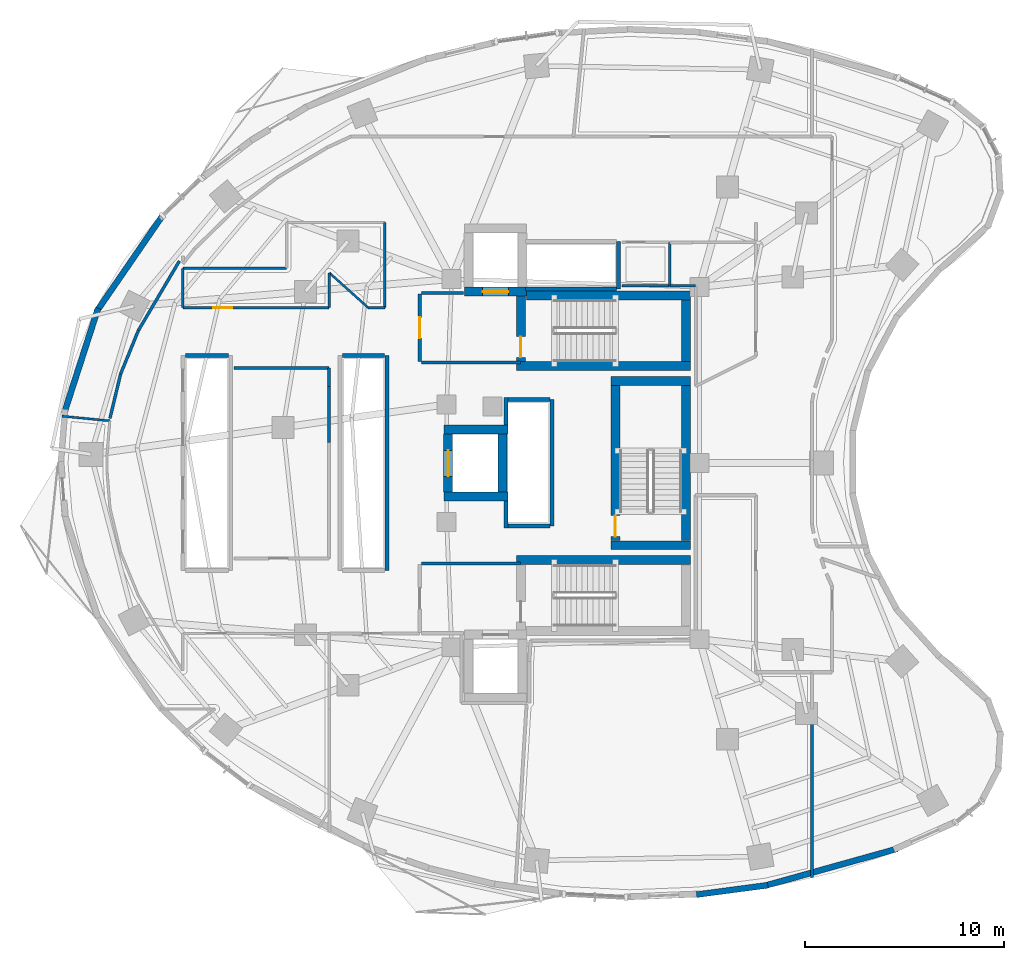
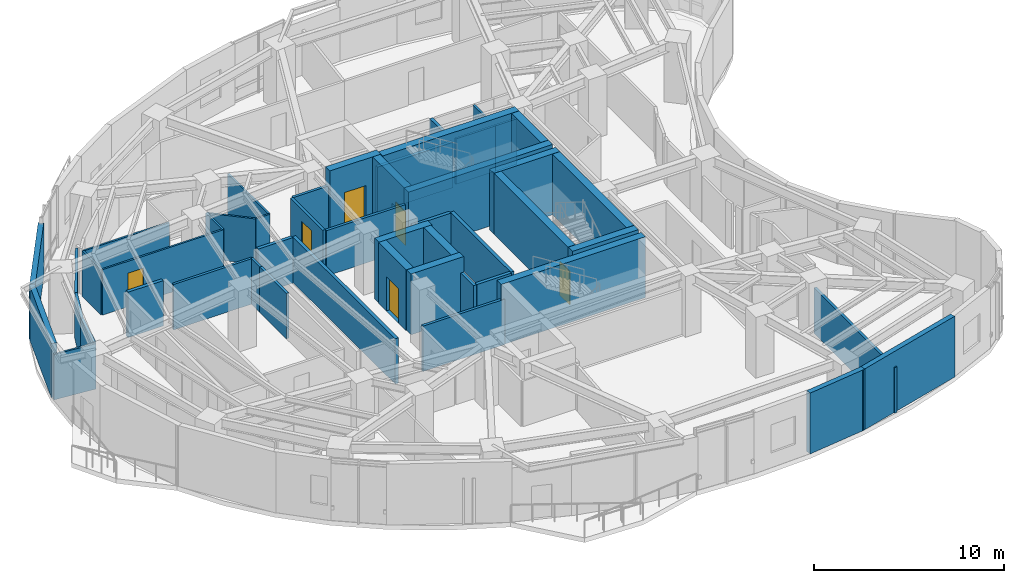
# One storey, part 8 of 13: 50 walls, 6 doors, 6 openings.
"""IFC4 building model written with IfcOpenShell, lengths in metres."""

from ifc_helpers import new_model, si_unit, direction, frame, frame_2d, origin, place, context, subcontext, project, spatial, rectangle, extrude, material, layer, layer_set, type_object, element, fill, save


model = new_model("IFC4")

# Units and contexts
model_context = context("Model", 3, precision=1e-05, world=origin(), true_north=direction((0.0, 1.0)))
body_context = subcontext(model_context, "Body", "Model", "MODEL_VIEW")
ifc_project = project(units=[si_unit("LENGTHUNIT", "METRE"), si_unit("AREAUNIT", "SQUARE_METRE"), si_unit("VOLUMEUNIT", "CUBIC_METRE"), si_unit("PLANEANGLEUNIT", "RADIAN"), si_unit("MASSUNIT", "GRAM", prefix="KILO")], contexts=[model_context])

# Site, building, storey
site_placement = place(None, origin())
site = spatial("IfcSite", under=ifc_project, at=site_placement, CompositionType="ELEMENT")
building_placement = place(site_placement, origin())
building = spatial("IfcBuilding", under=site, at=building_placement, Name="Korentha Bioscience Tower", CompositionType="ELEMENT")
storey_placement = place(building_placement, frame((0.0, 0.0, 140.39990234375)))
storey = spatial("IfcBuildingStorey", under=building, at=storey_placement, Name="L32", CompositionType="ELEMENT", Elevation=140.39990234375)

# Walls
ifc_material_1 = material(Name="Double-Stud Acoustic Gypsum", Category="gypsum")
ifc_layer_1 = layer(ifc_material_1, 0.14990234375, Name="Double-Stud Acoustic Gypsum")
ifc_layer_set_1 = layer_set([ifc_layer_1], Name="Double-Stud Acoustic Gypsum (IW-L150)")
wall_type_1 = type_object("IfcWallType", Name="Acoustic Laboratory Partition Wall 150", PredefinedType="PARTITIONING", material=ifc_layer_set_1)
wall_1_placement = place(storey_placement, frame((14.159912109375, 31.7900390625, 0.0), z_axis=(0.0, 0.0, 1.0), x_axis=(1.0, 0.0, 0.0)))
element("IfcWall", 1, at=wall_1_placement, inside=storey, type_object=wall_type_1, Name="L32 Interior Partition 014", PredefinedType="PARTITIONING", context=body_context, shape_type="SweptSolid", body=[
    extrude(rectangle(XDim=4.7880859375, YDim=0.14990234375, at=frame_2d((2.39404296875, 0.0))), origin(), (0.0, 0.0, 1.0), 2.91015625),
])
wall_2_placement = place(storey_placement, frame((18.947998046875, 31.7900390625, 0.0), z_axis=(0.0, 0.0, 1.0), x_axis=(0.0, -1.0, 0.0)))
element("IfcWall", 2, at=wall_2_placement, inside=storey, type_object=wall_type_1, Name="L32 Interior Partition 015", PredefinedType="PARTITIONING", context=body_context, shape_type="SweptSolid", body=[
    extrude(rectangle(XDim=0.93798828125, YDim=0.14990234375, at=frame_2d((0.468994140625, 0.0))), origin(), (0.0, 0.0, 1.0), 2.91015625),
])
wall_3_placement = place(storey_placement, frame((18.947998046875, 30.847900390625, 0.0), z_axis=(0.0, 0.0, 1.0), x_axis=(0.0, -1.0, 0.0)))
element("IfcWall", 3, at=wall_3_placement, inside=storey, type_object=wall_type_1, Name="L32 Interior Partition 016", PredefinedType="PARTITIONING", context=body_context, shape_type="SweptSolid", body=[
    extrude(rectangle(XDim=2.800537109375, YDim=0.14990234375, at=frame_2d((1.400390625, 0.0))), origin(), (0.0, 0.0, 1.0), 2.91015625),
])
wall_4_placement = place(storey_placement, frame((11.418701171875, 37.154296875, 0.0), z_axis=(0.0, 0.0, 1.0), x_axis=(-0.508183269016, -0.861248956511, 0.0)))
element("IfcWall", 4, at=wall_4_placement, inside=storey, type_object=wall_type_1, Name="L32 Interior Partition 071", PredefinedType="PARTITIONING", context=body_context, shape_type="SweptSolid", body=[
    extrude(rectangle(XDim=4.052734375, YDim=0.14990234375, at=frame_2d((2.0263671875, 0.0))), origin(), (0.0, 0.0, 1.0), 2.91015625),
])
wall_5_placement = place(storey_placement, frame((9.3583984375, 33.66259765625, 0.0), z_axis=(0.0, 0.0, 1.0), x_axis=(-0.378306283753, -0.925680482495, 0.0)))
element("IfcWall", 5, at=wall_5_placement, inside=storey, type_object=wall_type_1, Name="L32 Interior Partition 072", PredefinedType="PARTITIONING", context=body_context, shape_type="SweptSolid", body=[
    extrude(rectangle(XDim=2.358154296875, YDim=0.14990234375, at=frame_2d((1.17919921875, 0.0))), origin(), (0.0, 0.0, 1.0), 2.91015625),
])
wall_6_placement = place(storey_placement, frame((8.4658203125, 31.478515625, 0.0), z_axis=(0.0, 0.0, 1.0), x_axis=(-0.233675196412, -0.972314713754, 0.0)))
element("IfcWall", 6, at=wall_6_placement, inside=storey, type_object=wall_type_1, Name="L32 Interior Partition 073", PredefinedType="PARTITIONING", context=body_context, shape_type="SweptSolid", body=[
    extrude(rectangle(XDim=2.291259765625, YDim=0.14990234375, at=frame_2d((1.1455078125, 0.0))), origin(), (0.0, 0.0, 1.0), 2.91015625),
])
ifc_material_2 = material(Name="Insulated Aluminium Honeycomb Panel", Category="aluminium")
ifc_layer_2 = layer(ifc_material_2, 0.139892578125, Name="Insulated Aluminium Honeycomb Panel")
ifc_layer_set_2 = layer_set([ifc_layer_2], Name="Insulated Aluminium Honeycomb Panel (IW-F60)")
wall_type_2 = type_object("IfcWallType", Name="Cleanroom Flush Metal Panel Partition 140", PredefinedType="PARTITIONING", material=ifc_layer_set_2)
wall_7_placement = place(storey_placement, frame((37.35009765625, 35.909912109375, 0.0), z_axis=(0.0, 0.0, 1.0), x_axis=(-1.0, 0.0, 0.0)))
element("IfcWall", 7, at=wall_7_placement, inside=storey, type_object=wall_type_2, Name="L32 Interior Partition 059", PredefinedType="PARTITIONING", context=body_context, shape_type="SweptSolid", body=[
    extrude(rectangle(XDim=1.2900390625, YDim=0.139892578125, at=frame_2d((0.64501953125, 0.0))), origin(), (0.0, 0.0, 1.0), 2.91015625),
])

# Wall, opening, door
ifc_material_3 = material(Name="Fire-Rated Framed Glass", Category="glass")
ifc_layer_3 = layer(ifc_material_3, 0.110107421875, Name="Fire-Rated Framed Glass")
ifc_layer_set_3 = layer_set([ifc_layer_3], Name="Fire-Rated Framed Glass (IW-G110)")
wall_type_3 = type_object("IfcWallType", Name="Demountable Glazed Office Partition 110", PredefinedType="MOVABLE", material=ifc_layer_set_3)
wall_8_placement = place(storey_placement, frame((18.947998046875, 34.81005859375, 0.0), z_axis=(0.0, 0.0, 1.0), x_axis=(-1.0, 0.0, 0.0)))
wall_8 = element("IfcWall", 8, at=wall_8_placement, inside=storey, type_object=wall_type_3, Name="L32 Clinical Trials Data Office 10 Entrance Wall", PredefinedType="MOVABLE", context=body_context, shape_type="SweptSolid", body=[
    extrude(rectangle(XDim=7.35791015625, YDim=0.110107421875, at=frame_2d((3.678955078125, 0.0))), origin(), (0.0, 0.0, 1.0), 2.91015625),
])
opening_1_placement = place(wall_8_placement, frame((4.869384765625, 0.0, 0.0)))
opening_1 = element("IfcOpeningElement", 9, at=opening_1_placement, cuts=wall_8, Name="Opening ID-10L", PredefinedType="OPENING", context=body_context, shape_type="SweptSolid", body=[
    extrude(rectangle(XDim=0.949951171875, YDim=2.14990234375, at=frame_2d((0.47509765625, 1.074951171875))), frame((0.0, 0.06982421875, 0.0), z_axis=(0.0, -1.0, 0.0), x_axis=(1.0, 0.0, 0.0)), (0.0, 0.0, 1.0), 0.139892578125),
])
ifc_material_4 = material(Name="Phenolic Laminate Timber Core", Category="wood")
door_type_1 = type_object("IfcDoorType", Name="Laboratory Single Leaf Door 950x2150 Left", OperationType="SINGLE_SWING_LEFT", PredefinedType="DOOR", material=ifc_material_4)
door_1_placement = place(opening_1_placement, origin())
door_1 = element("IfcDoor", 10, at=door_1_placement, inside=storey, type_object=door_type_1, Name="L32 Clinical Trials Data Office 10 Door", OperationType="SINGLE_SWING_LEFT", OverallHeight=2.14990234375, OverallWidth=0.949951171875, PredefinedType="DOOR", context=body_context, shape_type="SweptSolid", body=[
    extrude(rectangle(XDim=0.949951171875, YDim=2.14990234375, at=frame_2d((0.47509765625, 1.074951171875))), frame((0.0, 0.02490234375, 0.0), z_axis=(0.0, -1.0, 0.0), x_axis=(1.0, 0.0, 0.0)), (0.0, 0.0, 1.0), 0.050048828125),
])
fill(opening_1, door_1)

# Walls
wall_9_placement = place(storey_placement, frame((5.521484375, 29.359619140625, 0.0), z_axis=(0.0, 0.0, 1.0), x_axis=(0.99523083929, -0.097547816614, 0.0)))
element("IfcWall", 11, at=wall_9_placement, inside=storey, type_object=wall_type_3, Name="L32 Interior Partition 018", PredefinedType="MOVABLE", context=body_context, shape_type="SweptSolid", body=[
    extrude(rectangle(XDim=2.41015625, YDim=0.110107421875, at=frame_2d((1.205078125, 0.0))), origin(), (0.0, 0.0, 1.0), 2.91015625),
])
wall_10_placement = place(storey_placement, frame((18.947998046875, 36.55810546875, 0.0), z_axis=(0.0, 0.0, 1.0), x_axis=(0.0, -1.0, 0.0)))
element("IfcWall", 12, at=wall_10_placement, inside=storey, type_object=wall_type_3, Name="L32 Interior Partition 074", PredefinedType="MOVABLE", context=body_context, shape_type="SweptSolid", body=[
    extrude(rectangle(XDim=1.748046875, YDim=0.110107421875, at=frame_2d((0.8740234375, 0.0))), origin(), (0.0, 0.0, 1.0), 2.91015625),
])
wall_11_placement = place(storey_placement, frame((11.590087890625, 34.81005859375, 0.0), z_axis=(0.0, 0.0, 1.0), x_axis=(0.0, 1.0, 0.0)))
element("IfcWall", 13, at=wall_11_placement, inside=storey, type_object=wall_type_3, Name="L32 Interior Partition 075", PredefinedType="MOVABLE", context=body_context, shape_type="SweptSolid", body=[
    extrude(rectangle(XDim=1.97998046875, YDim=0.110107421875, at=frame_2d((0.989990234375, 0.0))), origin(), (0.0, 0.0, 1.0), 2.91015625),
])
wall_12_placement = place(storey_placement, frame((11.590087890625, 36.7900390625, 0.0), z_axis=(0.0, 0.0, 1.0), x_axis=(1.0, 0.0, 0.0)))
element("IfcWall", 14, at=wall_12_placement, inside=storey, type_object=wall_type_3, Name="L32 Interior Partition 076", PredefinedType="MOVABLE", context=body_context, shape_type="SweptSolid", body=[
    extrude(rectangle(XDim=5.2099609375, YDim=0.110107421875, at=frame_2d((2.60498046875, 0.0))), origin(), (0.0, 0.0, 1.0), 2.91015625),
])
wall_13_placement = place(storey_placement, frame((21.739990234375, 39.090087890625, 0.0), z_axis=(0.0, 0.0, 1.0), x_axis=(0.0, -1.0, 0.0)))
element("IfcWall", 15, at=wall_13_placement, inside=storey, type_object=wall_type_3, Name="L32 Interior Partition 079", PredefinedType="MOVABLE", context=body_context, shape_type="SweptSolid", body=[
    extrude(rectangle(XDim=4.280029296875, YDim=0.110107421875, at=frame_2d((2.14013671875, 0.0))), origin(), (0.0, 0.0, 1.0), 2.91015625),
])
wall_14_placement = place(storey_placement, frame((21.739990234375, 34.81005859375, 0.0), z_axis=(0.0, 0.0, 1.0), x_axis=(-1.0, 0.0, 0.0)))
element("IfcWall", 16, at=wall_14_placement, inside=storey, type_object=wall_type_3, Name="L32 Interior Partition 080", PredefinedType="MOVABLE", context=body_context, shape_type="SweptSolid", body=[
    extrude(rectangle(XDim=0.833740234375, YDim=0.110107421875, at=frame_2d((0.4169921875, 0.0))), origin(), (0.0, 0.0, 1.0), 2.91015625),
])
wall_15_placement = place(storey_placement, frame((20.90625, 34.81005859375, 0.0), z_axis=(0.0, 0.0, 1.0), x_axis=(-0.744339592711, 0.667801295838, 0.0)))
element("IfcWall", 17, at=wall_15_placement, inside=storey, type_object=wall_type_3, Name="L32 Interior Partition 081", PredefinedType="MOVABLE", context=body_context, shape_type="SweptSolid", body=[
    extrude(rectangle(XDim=2.6220703125, YDim=0.110107421875, at=frame_2d((1.31103515625, 0.0))), origin(), (0.0, 0.0, 1.0), 2.91015625),
])

# Wall, opening, door
ifc_material_5 = material(Name="Gypsum-Clad Steel Stud", Category="steel")
ifc_layer_4 = layer(ifc_material_5, 0.159912109375, Name="Gypsum-Clad Steel Stud")
ifc_layer_set_4 = layer_set([ifc_layer_4], Name="Gypsum-Clad Steel Stud (IW-C160)")
wall_type_4 = type_object("IfcWallType", Name="Fire-Rated Corridor Partition Wall 160", PredefinedType="PARTITIONING", material=ifc_layer_set_4)
wall_16_placement = place(storey_placement, frame((23.5, 32.10009765625, 0.0), z_axis=(0.0, 0.0, 1.0), x_axis=(0.0, 1.0, 0.0)))
wall_16 = element("IfcWall", 18, at=wall_16_placement, inside=storey, type_object=wall_type_4, Name="L32 FFLN-CW Rated Enclosure Wall", PredefinedType="PARTITIONING", context=body_context, shape_type="SweptSolid", body=[
    extrude(rectangle(XDim=3.39990234375, YDim=0.159912109375, at=frame_2d((1.699951171875, 0.0))), origin(), (0.0, 0.0, 1.0), 2.91015625),
])
opening_2_placement = place(wall_16_placement, frame((1.175048828125, 0.0, 0.0)))
opening_2 = element("IfcOpeningElement", 19, at=opening_2_placement, cuts=wall_16, Name="Opening FD-90L", PredefinedType="OPENING", context=body_context, shape_type="SweptSolid", body=[
    extrude(rectangle(XDim=1.050048828125, YDim=2.14990234375, at=frame_2d((0.52490234375, 1.074951171875))), frame((0.0, 0.0947265625, 0.0), z_axis=(0.0, -1.0, 0.0), x_axis=(1.0, 0.0, 0.0)), (0.0, 0.0, 1.0), 0.189697265625),
])
ifc_material_6 = material(Name="Powder-Coated Fire-Rated Steel", Category="steel")
door_type_2 = type_object("IfcDoorType", Name="Stairwell Fire Exit Door 1050x2150 Left", OperationType="SINGLE_SWING_LEFT", PredefinedType="DOOR", material=ifc_material_6)
door_2_placement = place(opening_2_placement, origin())
door_2 = element("IfcDoor", 20, at=door_2_placement, inside=storey, type_object=door_type_2, Name="L32 North Firefighting Lobby Door", OperationType="SINGLE_SWING_LEFT", OverallHeight=2.14990234375, OverallWidth=1.050048828125, PredefinedType="DOOR", context=body_context, shape_type="SweptSolid", body=[
    extrude(rectangle(XDim=1.050048828125, YDim=2.14990234375, at=frame_2d((0.52490234375, 1.074951171875))), frame((0.0, 0.02490234375, 0.0), z_axis=(0.0, -1.0, 0.0), x_axis=(1.0, 0.0, 0.0)), (0.0, 0.0, 1.0), 0.050048828125),
])
fill(opening_2, door_2)

# Walls
wall_17_placement = place(storey_placement, frame((23.580078125, 32.050048828125, 0.0), z_axis=(0.0, 0.0, 1.0), x_axis=(1.0, 0.0, 0.0)))
element("IfcWall", 21, at=wall_17_placement, inside=storey, type_object=wall_type_4, Name="L32 Firefighting Lobby Return Wall FFLN-S", PredefinedType="PARTITIONING", context=body_context, shape_type="SweptSolid", body=[
    extrude(rectangle(XDim=4.969970703125, YDim=0.159912109375, at=frame_2d((2.48486328125, 0.0))), origin(), (0.0, 0.0, 1.0), 2.91015625),
])
wall_18_placement = place(storey_placement, frame((23.580078125, 35.550048828125, 0.0), z_axis=(0.0, 0.0, 1.0), x_axis=(1.0, 0.0, 0.0)))
element("IfcWall", 22, at=wall_18_placement, inside=storey, type_object=wall_type_4, Name="L32 Firefighting Lobby Return Wall FFLN-N", PredefinedType="PARTITIONING", context=body_context, shape_type="SweptSolid", body=[
    extrude(rectangle(XDim=2.119873046875, YDim=0.159912109375, at=frame_2d((1.06005859375, 0.0))), origin(), (0.0, 0.0, 1.0), 2.91015625),
])
wall_19_placement = place(storey_placement, frame((23.580078125, 21.949951171875, 0.0), z_axis=(0.0, 0.0, 1.0), x_axis=(1.0, 0.0, 0.0)))
element("IfcWall", 23, at=wall_19_placement, inside=storey, type_object=wall_type_4, Name="L32 Firefighting Lobby Return Wall FFLS-N", PredefinedType="PARTITIONING", context=body_context, shape_type="SweptSolid", body=[
    extrude(rectangle(XDim=4.969970703125, YDim=0.159912109375, at=frame_2d((2.48486328125, 0.0))), origin(), (0.0, 0.0, 1.0), 2.91015625),
])
wall_20_placement = place(storey_placement, frame((43.197998046875, 14.64794921875, 0.0), z_axis=(0.0, 0.0, 1.0), x_axis=(0.0, -1.0, 0.0)))
element("IfcWall", 24, at=wall_20_placement, inside=storey, type_object=wall_type_4, Name="L32 Interior Partition 043", PredefinedType="PARTITIONING", context=body_context, shape_type="SweptSolid", body=[
    extrude(rectangle(XDim=8.457275390625, YDim=0.159912109375, at=frame_2d((4.228515625, 0.0))), origin(), (0.0, 0.0, 1.0), 2.91015625),
])
ifc_material_7 = material(Name="Honed Limestone Precast Concrete C40", Category="masonry")
ifc_layer_5 = layer(ifc_material_7, 0.300048828125, Name="Honed Limestone Precast Concrete C40")
ifc_layer_set_5 = layer_set([ifc_layer_5], Name="Honed Limestone Precast Concrete C40 (EW-ST300)")
wall_type_5 = type_object("IfcWallType", Name="Honed Limestone Cavity Spandrel Wall 300", PredefinedType="STANDARD", material=ifc_layer_set_5)
wall_21_placement = place(storey_placement, frame((10.54833984375, 39.400390625, 0.0), z_axis=(0.0, 0.0, 1.0), x_axis=(-0.566825798999, -0.823837674296, 0.0)))
element("IfcWall", 25, at=wall_21_placement, inside=storey, type_object=wall_type_5, Name="L32 Limestone Perimeter Closure Wall 14", PredefinedType="STANDARD", context=body_context, shape_type="SweptSolid", body=[
    extrude(rectangle(XDim=5.825927734375, YDim=0.300048828125, at=frame_2d((2.9130859375, 0.0))), origin(), (0.0, 0.0, 1.0), 3.47021484375),
])
wall_22_placement = place(storey_placement, frame((7.333984375, 34.779296875, 0.0), z_axis=(0.0, 0.0, 1.0), x_axis=(-0.307599470659, -0.951515930319, 0.0)))
element("IfcWall", 26, at=wall_22_placement, inside=storey, type_object=wall_type_5, Name="L32 Limestone Perimeter Closure Wall 16", PredefinedType="STANDARD", context=body_context, shape_type="SweptSolid", body=[
    extrude(rectangle(XDim=5.534423828125, YDim=0.300048828125, at=frame_2d((2.76708984375, 0.0))), origin(), (0.0, 0.0, 1.0), 3.47021484375),
])
wall_23_placement = place(storey_placement, frame((37.40234375, 5.319091796875, 0.0), z_axis=(0.0, 0.0, 1.0), x_axis=(0.991372969521, 0.131071107816, 0.0)))
element("IfcWall", 27, at=wall_23_placement, inside=storey, type_object=wall_type_5, Name="L32 Limestone Perimeter Closure Wall 33", PredefinedType="STANDARD", context=body_context, shape_type="SweptSolid", body=[
    extrude(rectangle(XDim=3.615478515625, YDim=0.300048828125, at=frame_2d((1.8076171875, 0.0))), origin(), (0.0, 0.0, 1.0), 3.900146484375),
])
wall_24_placement = place(storey_placement, frame((40.810791015625, 5.7568359375, 0.0), z_axis=(0.0, 0.0, 1.0), x_axis=(0.963116215402, 0.269085777459, 0.0)))
element("IfcWall", 28, at=wall_24_placement, inside=storey, type_object=wall_type_5, Name="L32 Limestone Perimeter Closure Wall 34", PredefinedType="STANDARD", context=body_context, shape_type="SweptSolid", body=[
    extrude(rectangle(XDim=6.923583984375, YDim=0.300048828125, at=frame_2d((3.4619140625, 0.0))), origin(), (0.0, 0.0, 1.0), 3.900146484375),
])
ifc_material_8 = material(Name="Autoclaved Aerated Concrete Block C25", Category="concrete")
ifc_layer_6 = layer(ifc_material_8, 0.199951171875, Name="Autoclaved Aerated Concrete Block C25")
ifc_layer_set_6 = layer_set([ifc_layer_6], Name="Autoclaved Aerated Concrete Block C25 (IW-S200)")
wall_type_6 = type_object("IfcWallType", Name="Lift and Riser Shaft Enclosure Wall 200", PredefinedType="PARTITIONING", material=ifc_layer_set_6)
wall_25_placement = place(storey_placement, frame((11.719970703125, 32.39990234375, 0.0), z_axis=(0.0, 0.0, 1.0), x_axis=(1.0, 0.0, 0.0)))
element("IfcWall", 29, at=wall_25_placement, inside=storey, type_object=wall_type_6, Name="L32 Lift Bank LOW Shaft Wall +Y", PredefinedType="PARTITIONING", context=body_context, shape_type="SweptSolid", body=[
    extrude(rectangle(XDim=2.159912109375, YDim=0.199951171875, at=frame_2d((1.080078125, 0.0))), origin(), (0.0, 0.0, 1.0), 2.91015625),
])
wall_26_placement = place(storey_placement, frame((21.85009765625, 21.60009765625, 0.0), z_axis=(0.0, 0.0, 1.0), x_axis=(0.0, 1.0, 0.0)))
element("IfcWall", 30, at=wall_26_placement, inside=storey, type_object=wall_type_6, Name="L32 Lift Bank MID Shaft Wall +X", PredefinedType="PARTITIONING", context=body_context, shape_type="SweptSolid", body=[
    extrude(rectangle(XDim=10.7998046875, YDim=0.199951171875, at=frame_2d((5.39990234375, 0.0))), origin(), (0.0, 0.0, 1.0), 2.91015625),
])
wall_27_placement = place(storey_placement, frame((19.6201171875, 32.39990234375, 0.0), z_axis=(0.0, 0.0, 1.0), x_axis=(1.0, 0.0, 0.0)))
element("IfcWall", 31, at=wall_27_placement, inside=storey, type_object=wall_type_6, Name="L32 Lift Bank MID Shaft Wall +Y", PredefinedType="PARTITIONING", context=body_context, shape_type="SweptSolid", body=[
    extrude(rectangle(XDim=2.10986328125, YDim=0.199951171875, at=frame_2d((1.054931640625, 0.0))), origin(), (0.0, 0.0, 1.0), 2.91015625),
])
wall_28_placement = place(storey_placement, frame((27.830078125, 23.75, 0.0), z_axis=(0.0, 0.0, 1.0), x_axis=(0.0, 1.0, 0.0)))
element("IfcWall", 32, at=wall_28_placement, inside=storey, type_object=wall_type_6, Name="L32 Lift Bank HIGH Shaft Wall -XS", PredefinedType="PARTITIONING", context=body_context, shape_type="SweptSolid", body=[
    extrude(rectangle(XDim=1.341064453125, YDim=0.199951171875, at=frame_2d((0.67041015625, 0.0))), origin(), (0.0, 0.0, 1.0), 2.91015625),
])
wall_29_placement = place(storey_placement, frame((27.830078125, 28.908935546875, 0.0), z_axis=(0.0, 0.0, 1.0), x_axis=(0.0, 1.0, 0.0)))
element("IfcWall", 33, at=wall_29_placement, inside=storey, type_object=wall_type_6, Name="L32 Lift Bank HIGH Shaft Wall -XN", PredefinedType="PARTITIONING", context=body_context, shape_type="SweptSolid", body=[
    extrude(rectangle(XDim=1.39111328125, YDim=0.199951171875, at=frame_2d((0.695556640625, 0.0))), origin(), (0.0, 0.0, 1.0), 2.91015625),
])
wall_30_placement = place(storey_placement, frame((30.14990234375, 23.85009765625, 0.0), z_axis=(0.0, 0.0, 1.0), x_axis=(0.0, 1.0, 0.0)))
element("IfcWall", 34, at=wall_30_placement, inside=storey, type_object=wall_type_6, Name="L32 Lift Bank HIGH Shaft Wall +X", PredefinedType="PARTITIONING", context=body_context, shape_type="SweptSolid", body=[
    extrude(rectangle(XDim=6.349853515625, YDim=0.199951171875, at=frame_2d((3.1748046875, 0.0))), origin(), (0.0, 0.0, 1.0), 2.91015625),
])
for number, where, z_axis, x_axis, name in (
    (35, (27.93408203125, 23.85009765625, 0.0), (0.0, 0.0, 1.0), (1.0, 0.0, 0.0), "L32 Lift Bank HIGH Shaft Wall -Y"),
    (36, (27.93408203125, 30.199951171875, 0.0), (0.0, 0.0, 1.0), (1.0, 0.0, 0.0), "L32 Lift Bank HIGH Shaft Wall +Y"),
):
    element("IfcWall", number, at=place(storey_placement, frame(where, z_axis=z_axis, x_axis=x_axis)), inside=storey, type_object=wall_type_6, Name=name, PredefinedType="PARTITIONING", context=body_context, shape_type="SweptSolid", body=[
        extrude(rectangle(XDim=2.095947265625, YDim=0.199951171875, at=frame_2d((1.0478515625, 0.0))), origin(), (0.0, 0.0, 1.0), 2.91015625),
    ])
wall_31_placement = place(storey_placement, frame((33.489990234375, 35.760009765625, 0.0), z_axis=(0.0, 0.0, 1.0), x_axis=(0.0, 1.0, 0.0)))
element("IfcWall", 37, at=wall_31_placement, inside=storey, type_object=wall_type_6, Name="L32 Lift Bank OBS Shaft Wall +X", PredefinedType="PARTITIONING", context=body_context, shape_type="SweptSolid", body=[
    extrude(rectangle(XDim=2.3798828125, YDim=0.199951171875, at=frame_2d((1.18994140625, 0.0))), origin(), (0.0, 0.0, 1.0), 2.91015625),
])
wall_32_placement = place(storey_placement, frame((28.800048828125, 35.760009765625, 0.0), z_axis=(0.0, 0.0, 1.0), x_axis=(1.0, 0.0, 0.0)))
element("IfcWall", 38, at=wall_32_placement, inside=storey, type_object=wall_type_6, Name="L32 Lift Bank OBS Shaft Wall -Y", PredefinedType="PARTITIONING", context=body_context, shape_type="SweptSolid", body=[
    extrude(rectangle(XDim=4.570068359375, YDim=0.199951171875, at=frame_2d((2.28515625, 0.0))), origin(), (0.0, 0.0, 1.0), 2.91015625),
])
ifc_material_9 = material(Name="Concrete C80", Category="concrete")
ifc_layer_7 = layer(ifc_material_9, 0.449951171875, Name="Concrete C80")
ifc_layer_set_7 = layer_set([ifc_layer_7], Name="Concrete C80 (CW-C80)")
wall_type_7 = type_object("IfcWallType", Name="Lower Core Shear Wall 450", PredefinedType="SHEAR", material=ifc_layer_set_7)
wall_33_placement = place(storey_placement, frame((28.85205078125, 35.425048828125, 0.0), z_axis=(0.0, 0.0, 1.0), x_axis=(1.0, 0.0, 0.0)))
element("IfcWall", 39, at=wall_33_placement, inside=storey, type_object=wall_type_7, Name="L32 Core Shear Wall ST1-N", PredefinedType="SHEAR", context=body_context, shape_type="SweptSolid", body=[
    extrude(rectangle(XDim=8.248046875, YDim=0.449951171875, at=frame_2d((4.1240234375, 0.0))), origin(), (0.0, 0.0, 1.0), 3.900146484375),
])
wall_34_placement = place(storey_placement, frame((28.35009765625, 31.875, 0.0), z_axis=(0.0, 0.0, 1.0), x_axis=(1.0, 0.0, 0.0)))
element("IfcWall", 40, at=wall_34_placement, inside=storey, type_object=wall_type_7, Name="L32 Core Shear Wall ST1-S", PredefinedType="SHEAR", context=body_context, shape_type="SweptSolid", body=[
    extrude(rectangle(XDim=8.75, YDim=0.449951171875, at=frame_2d((4.375, 0.0))), origin(), (0.0, 0.0, 1.0), 3.900146484375),
])
wall_35_placement = place(storey_placement, frame((36.875, 32.110107421875, 0.0), z_axis=(0.0, 0.0, 1.0), x_axis=(0.0, 1.0, 0.0)))
element("IfcWall", 41, at=wall_35_placement, inside=storey, type_object=wall_type_7, Name="L32 Core Shear Wall ST1-E", PredefinedType="SHEAR", context=body_context, shape_type="SweptSolid", body=[
    extrude(rectangle(XDim=3.079833984375, YDim=0.449951171875, at=frame_2d((1.5400390625, 0.0))), origin(), (0.0, 0.0, 1.0), 3.900146484375),
])

# Wall, opening, door
wall_36_placement = place(storey_placement, frame((28.574951171875, 32.110107421875, 0.0), z_axis=(0.0, 0.0, 1.0), x_axis=(0.0, 1.0, 0.0)))
wall_36 = element("IfcWall", 42, at=wall_36_placement, inside=storey, type_object=wall_type_7, Name="L32 Core Shear Wall ST1-W", PredefinedType="SHEAR", context=body_context, shape_type="SweptSolid", body=[
    extrude(rectangle(XDim=3.282958984375, YDim=0.449951171875, at=frame_2d((1.6416015625, 0.0))), origin(), (0.0, 0.0, 1.0), 3.900146484375),
])
opening_3_placement = place(wall_36_placement, frame((0.199951171875, 0.0, 0.0)))
opening_3 = element("IfcOpeningElement", 43, at=opening_3_placement, cuts=wall_36, Name="Opening FD-90L", PredefinedType="OPENING", context=body_context, shape_type="SweptSolid", body=[
    extrude(rectangle(XDim=1.050048828125, YDim=2.14990234375, at=frame_2d((0.52490234375, 1.074951171875))), frame((0.0, 0.23974609375, 0.0), z_axis=(0.0, -1.0, 0.0), x_axis=(1.0, 0.0, 0.0)), (0.0, 0.0, 1.0), 0.479736328125),
])
door_3_placement = place(opening_3_placement, origin())
door_3 = element("IfcDoor", 44, at=door_3_placement, inside=storey, type_object=door_type_2, Name="L32 ST-1 Fire Exit Stair Door", OperationType="SINGLE_SWING_LEFT", OverallHeight=2.14990234375, OverallWidth=1.050048828125, PredefinedType="DOOR", context=body_context, shape_type="SweptSolid", body=[
    extrude(rectangle(XDim=1.050048828125, YDim=2.14990234375, at=frame_2d((0.52490234375, 1.074951171875))), frame((0.0, 0.02490234375, 0.0), z_axis=(0.0, -1.0, 0.0), x_axis=(1.0, 0.0, 0.0)), (0.0, 0.0, 1.0), 0.050048828125),
])
fill(opening_3, door_3)

# Walls
wall_37_placement = place(storey_placement, frame((28.35009765625, 22.125, 0.0), z_axis=(0.0, 0.0, 1.0), x_axis=(1.0, 0.0, 0.0)))
element("IfcWall", 45, at=wall_37_placement, inside=storey, type_object=wall_type_7, Name="L32 Core Shear Wall ST2-N", PredefinedType="SHEAR", context=body_context, shape_type="SweptSolid", body=[
    extrude(rectangle(XDim=8.75, YDim=0.449951171875, at=frame_2d((4.375, 0.0))), origin(), (0.0, 0.0, 1.0), 3.900146484375),
])
for number, where, z_axis, x_axis, name in (
    (46, (33.10009765625, 31.125, 0.0), (0.0, 0.0, 1.0), (1.0, 0.0, 0.0), "L32 Core Shear Wall ST3-N"),
    (47, (33.10009765625, 22.875, 0.0), (0.0, 0.0, 1.0), (1.0, 0.0, 0.0), "L32 Core Shear Wall ST3-S"),
):
    element("IfcWall", number, at=place(storey_placement, frame(where, z_axis=z_axis, x_axis=x_axis)), inside=storey, type_object=wall_type_7, Name=name, PredefinedType="SHEAR", context=body_context, shape_type="SweptSolid", body=[
        extrude(rectangle(XDim=4.0, YDim=0.449951171875, at=frame_2d((2.0, 0.0))), origin(), (0.0, 0.0, 1.0), 3.900146484375),
    ])
wall_38_placement = place(storey_placement, frame((36.875, 23.110107421875, 0.0), z_axis=(0.0, 0.0, 1.0), x_axis=(0.0, 1.0, 0.0)))
element("IfcWall", 48, at=wall_38_placement, inside=storey, type_object=wall_type_7, Name="L32 Core Shear Wall ST3-E", PredefinedType="SHEAR", context=body_context, shape_type="SweptSolid", body=[
    extrude(rectangle(XDim=7.77978515625, YDim=0.449951171875, at=frame_2d((3.889892578125, 0.0))), origin(), (0.0, 0.0, 1.0), 3.900146484375),
])

# Wall, opening, door
wall_39_placement = place(storey_placement, frame((33.324951171875, 23.110107421875, 0.0), z_axis=(0.0, 0.0, 1.0), x_axis=(0.0, 1.0, 0.0)))
wall_39 = element("IfcWall", 49, at=wall_39_placement, inside=storey, type_object=wall_type_7, Name="L32 Core Shear Wall ST3-W", PredefinedType="SHEAR", context=body_context, shape_type="SweptSolid", body=[
    extrude(rectangle(XDim=7.77978515625, YDim=0.449951171875, at=frame_2d((3.889892578125, 0.0))), origin(), (0.0, 0.0, 1.0), 3.900146484375),
])
opening_4_placement = place(wall_39_placement, frame((0.199951171875, 0.0, 0.0)))
opening_4 = element("IfcOpeningElement", 50, at=opening_4_placement, cuts=wall_39, Name="Opening FD-90L", PredefinedType="OPENING", context=body_context, shape_type="SweptSolid", body=[
    extrude(rectangle(XDim=1.050048828125, YDim=2.14990234375, at=frame_2d((0.52490234375, 1.074951171875))), frame((0.0, 0.23974609375, 0.0), z_axis=(0.0, -1.0, 0.0), x_axis=(1.0, 0.0, 0.0)), (0.0, 0.0, 1.0), 0.479736328125),
])
door_4_placement = place(opening_4_placement, origin())
door_4 = element("IfcDoor", 51, at=door_4_placement, inside=storey, type_object=door_type_2, Name="L32 ST-3 Fire Exit Stair Door", OperationType="SINGLE_SWING_LEFT", OverallHeight=2.14990234375, OverallWidth=1.050048828125, PredefinedType="DOOR", context=body_context, shape_type="SweptSolid", body=[
    extrude(rectangle(XDim=1.050048828125, YDim=2.14990234375, at=frame_2d((0.52490234375, 1.074951171875))), frame((0.0, 0.02490234375, 0.0), z_axis=(0.0, -1.0, 0.0), x_axis=(1.0, 0.0, 0.0)), (0.0, 0.0, 1.0), 0.050048828125),
])
fill(opening_4, door_4)

wall_40_placement = place(storey_placement, frame((25.75, 35.6201171875, 0.0), z_axis=(0.0, 0.0, 1.0), x_axis=(1.0, 0.0, 0.0)))
wall_40 = element("IfcWall", 52, at=wall_40_placement, inside=storey, type_object=wall_type_7, Name="L32 Core Shear Wall FFL2-S", PredefinedType="SHEAR", context=body_context, shape_type="SweptSolid", body=[
    extrude(rectangle(XDim=3.10009765625, YDim=0.449951171875, at=frame_2d((1.550048828125, 0.0))), origin(), (0.0, 0.0, 1.0), 3.900146484375),
])
opening_5_placement = place(wall_40_placement, frame((0.89990234375, 0.0, 0.0)))
opening_5 = element("IfcOpeningElement", 53, at=opening_5_placement, cuts=wall_40, Name="Opening LD-13", PredefinedType="OPENING", context=body_context, shape_type="SweptSolid", body=[
    extrude(rectangle(XDim=1.300048828125, YDim=2.199951171875, at=frame_2d((0.64990234375, 1.10009765625))), frame((0.0, 0.23974609375, 0.0), z_axis=(0.0, -1.0, 0.0), x_axis=(1.0, 0.0, 0.0)), (0.0, 0.0, 1.0), 0.479736328125),
])
ifc_material_10 = material(Name="Brushed Stainless Steel 316", Category="steel")
door_type_3 = type_object("IfcDoorType", Name="Service & Firefighting Lift Landing Door 1300x2300", OperationType="DOUBLE_DOOR_SLIDING", PredefinedType="DOOR", material=ifc_material_10)
door_5_placement = place(opening_5_placement, origin())
door_5 = element("IfcDoor", 54, at=door_5_placement, inside=storey, type_object=door_type_3, Name="L32 FFL-2 Sliding Lift Landing Door", OperationType="DOUBLE_DOOR_SLIDING", OverallHeight=2.199951171875, OverallWidth=1.300048828125, PredefinedType="DOOR", context=body_context, shape_type="SweptSolid", body=[
    extrude(rectangle(XDim=1.300048828125, YDim=2.199951171875, at=frame_2d((0.64990234375, 1.10009765625))), frame((0.0, 0.02490234375, 0.0), z_axis=(0.0, -1.0, 0.0), x_axis=(1.0, 0.0, 0.0)), (0.0, 0.0, 1.0), 0.050048828125),
])
fill(opening_5, door_5)

# Walls
for number, where, z_axis, x_axis, name in (
    (55, (24.719970703125, 28.679931640625, 0.0), (0.0, 0.0, 1.0), (1.0, 0.0, 0.0), "L32 Core Shear Wall SVL1-N"),
    (56, (24.719970703125, 25.320068359375, 0.0), (0.0, 0.0, 1.0), (1.0, 0.0, 0.0), "L32 Core Shear Wall SVL1-S"),
):
    element("IfcWall", number, at=place(storey_placement, frame(where, z_axis=z_axis, x_axis=x_axis)), inside=storey, type_object=wall_type_7, Name=name, PredefinedType="SHEAR", context=body_context, shape_type="SweptSolid", body=[
        extrude(rectangle(XDim=3.2099609375, YDim=0.449951171875, at=frame_2d((1.60498046875, 0.0))), origin(), (0.0, 0.0, 1.0), 3.900146484375),
    ])

# Wall, opening, door
wall_41_placement = place(storey_placement, frame((24.919921875, 25.547119140625, 0.0), z_axis=(0.0, 0.0, 1.0), x_axis=(0.0, 1.0, 0.0)))
wall_41 = element("IfcWall", 57, at=wall_41_placement, inside=storey, type_object=wall_type_7, Name="L32 Core Shear Wall SVL1-W", PredefinedType="SHEAR", context=body_context, shape_type="SweptSolid", body=[
    extrude(rectangle(XDim=2.90576171875, YDim=0.449951171875, at=frame_2d((1.452880859375, 0.0))), origin(), (0.0, 0.0, 1.0), 3.900146484375),
])
opening_6_placement = place(wall_41_placement, frame((0.7900390625, 0.0, 0.0)))
opening_6 = element("IfcOpeningElement", 58, at=opening_6_placement, cuts=wall_41, Name="Opening LD-13", PredefinedType="OPENING", context=body_context, shape_type="SweptSolid", body=[
    extrude(rectangle(XDim=1.300048828125, YDim=2.199951171875, at=frame_2d((0.64990234375, 1.10009765625))), frame((0.0, 0.23974609375, 0.0), z_axis=(0.0, -1.0, 0.0), x_axis=(1.0, 0.0, 0.0)), (0.0, 0.0, 1.0), 0.479736328125),
])
door_6_placement = place(opening_6_placement, origin())
door_6 = element("IfcDoor", 59, at=door_6_placement, inside=storey, type_object=door_type_3, Name="L32 SVL-1 Sliding Lift Landing Door", OperationType="DOUBLE_DOOR_SLIDING", OverallHeight=2.199951171875, OverallWidth=1.300048828125, PredefinedType="DOOR", context=body_context, shape_type="SweptSolid", body=[
    extrude(rectangle(XDim=1.300048828125, YDim=2.199951171875, at=frame_2d((0.64990234375, 1.10009765625))), frame((0.0, 0.02490234375, 0.0), z_axis=(0.0, -1.0, 0.0), x_axis=(1.0, 0.0, 0.0)), (0.0, 0.0, 1.0), 0.050048828125),
])
fill(opening_6, door_6)

# Walls
wall_42_placement = place(storey_placement, frame((27.64990234375, 25.547119140625, 0.0), z_axis=(0.0, 0.0, 1.0), x_axis=(0.0, 1.0, 0.0)))
element("IfcWall", 60, at=wall_42_placement, inside=storey, type_object=wall_type_7, Name="L32 Core Shear Wall SVL1-E", PredefinedType="SHEAR", context=body_context, shape_type="SweptSolid", body=[
    extrude(rectangle(XDim=2.90576171875, YDim=0.449951171875, at=frame_2d((1.452880859375, 0.0))), origin(), (0.0, 0.0, 1.0), 3.900146484375),
])
ifc_material_11 = material(Name="Cement-Board Steel Stud", Category="steel")
ifc_layer_8 = layer(ifc_material_11, 0.1298828125, Name="Cement-Board Steel Stud")
ifc_layer_set_8 = layer_set([ifc_layer_8], Name="Cement-Board Steel Stud (IW-W130)")
wall_type_8 = type_object("IfcWallType", Name="Wet-Area Moisture-Resistant Partition 130", PredefinedType="PARTITIONING", material=ifc_layer_set_8)
wall_43_placement = place(storey_placement, frame((36.050048828125, 35.909912109375, 0.0), z_axis=(0.0, 0.0, 1.0), x_axis=(-1.0, 0.0, 0.0)))
element("IfcWall", 61, at=wall_43_placement, inside=storey, type_object=wall_type_8, Name="L32 Interior Partition 012", PredefinedType="PARTITIONING", context=body_context, shape_type="SweptSolid", body=[
    extrude(rectangle(XDim=2.400146484375, YDim=0.1298828125, at=frame_2d((1.2001953125, 0.0))), origin(), (0.0, 0.0, 1.0), 2.91015625),
])
wall_44_placement = place(storey_placement, frame((36.050048828125, 38.090087890625, 0.0), z_axis=(0.0, 0.0, 1.0), x_axis=(0.0, -1.0, 0.0)))
element("IfcWall", 62, at=wall_44_placement, inside=storey, type_object=wall_type_8, Name="L32 Interior Partition 013", PredefinedType="PARTITIONING", context=body_context, shape_type="SweptSolid", body=[
    extrude(rectangle(XDim=2.18017578125, YDim=0.1298828125, at=frame_2d((1.090087890625, 0.0))), origin(), (0.0, 0.0, 1.0), 2.91015625),
])

save(model, "model.ifc")
